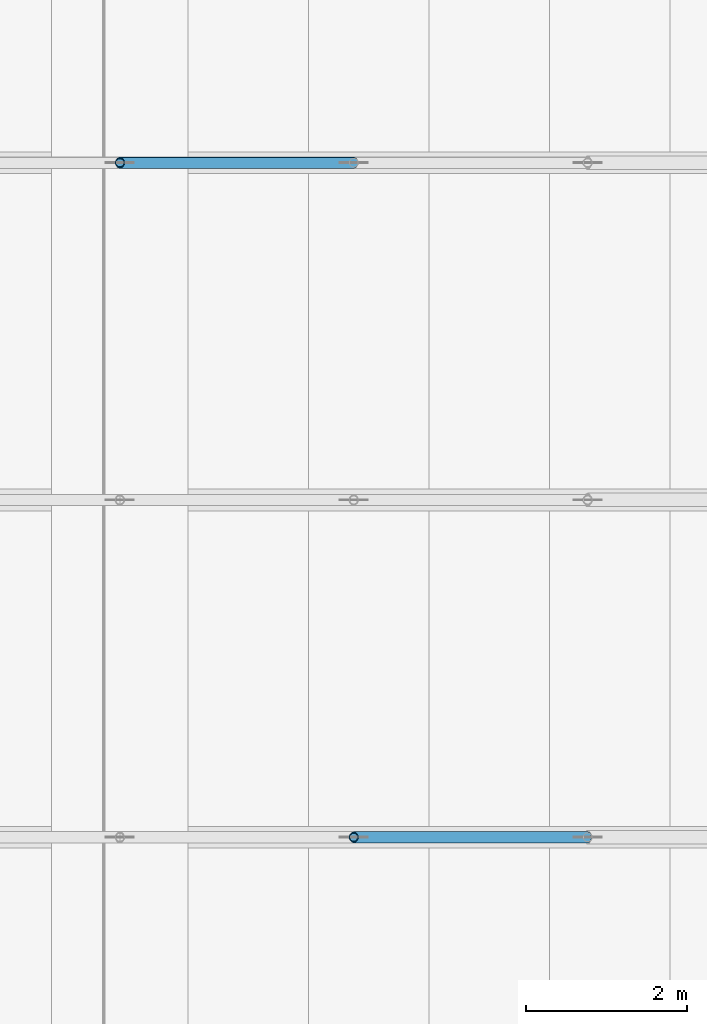
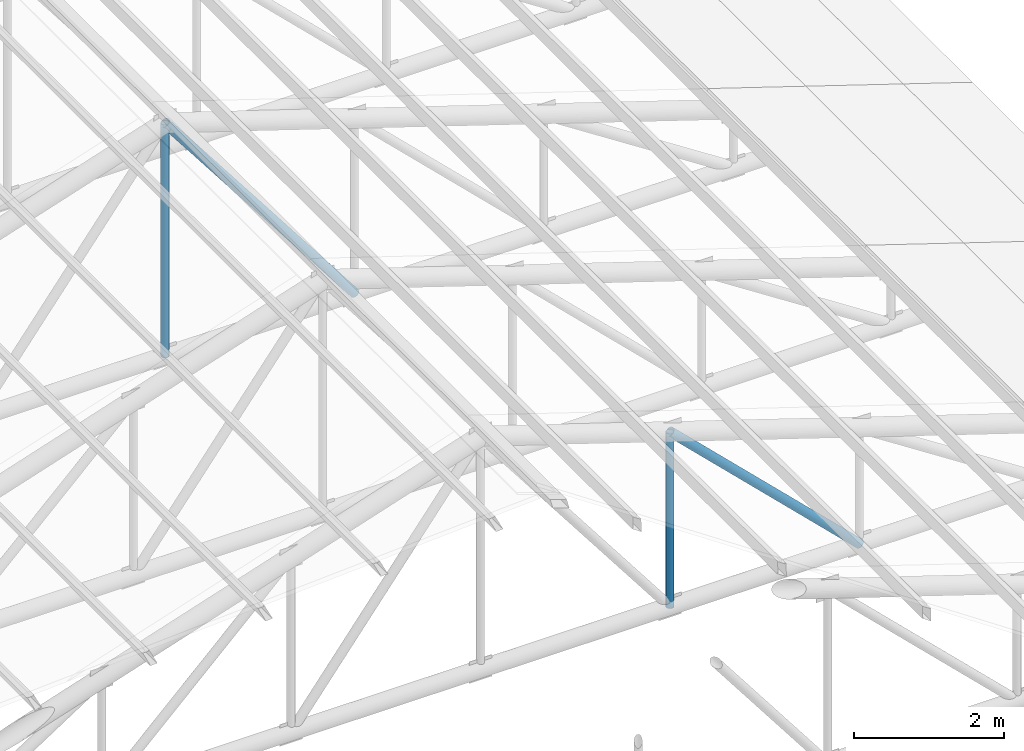
# One storey, part 46 of 95: 4 members.
"""IFC4 building model written with IfcOpenShell, lengths in metres."""

from ifc_helpers import new_model, si_unit, direction, frame, origin, origin_2d, place, context, subcontext, project, spatial, hollow_circle, extrude, material, material_profile, profile_set, type_object, element, save


model = new_model("IFC4")

# Units and contexts
model_context = context("Model", 3, precision=1e-05, world=origin(), true_north=direction((0.0, 1.0)))
body_context = subcontext(model_context, "Body", "Model", "MODEL_VIEW")
ifc_project = project(units=[si_unit("LENGTHUNIT", "METRE"), si_unit("AREAUNIT", "SQUARE_METRE"), si_unit("VOLUMEUNIT", "CUBIC_METRE"), si_unit("PLANEANGLEUNIT", "RADIAN"), si_unit("MASSUNIT", "GRAM", prefix="KILO")], contexts=[model_context])

# Site, building, storey
site_placement = place(None, origin())
site = spatial("IfcSite", under=ifc_project, at=site_placement, CompositionType="ELEMENT")
building_placement = place(site_placement, origin())
building = spatial("IfcBuilding", under=site, at=building_placement, Name="Kiln Court Media Centre", CompositionType="ELEMENT")
storey_placement = place(building_placement, frame((0.0, 0.0, 24.60009765625)))
storey = spatial("IfcBuildingStorey", under=building, at=storey_placement, Name="L05", CompositionType="ELEMENT", Elevation=24.60009765625)

# Members
ifc_material_1 = material(Name="Steel ASTM A500 Gr C", Category="steel")
ifc_material_profile_1 = material_profile(ifc_material_1, hollow_circle(Radius=0.05712890625, WallThickness=0.0048828125, at=origin_2d()), Name="CHS 114.3x5.0")
ifc_profile_set_1 = profile_set([ifc_material_profile_1], Name="Steel ASTM A500 Gr C")
member_type_1 = type_object("IfcMemberType", Name="Steel ASTM A500 Gr C CHS 114.3x5.0 truss web", PredefinedType="BRACE", material=ifc_profile_set_1)
member_1_placement = place(storey_placement, frame((49.3125, 50.39990234375, -0.013916015625), z_axis=(0.0, 0.0, 1.0), x_axis=(1.0, 0.0, 0.0)))
element("IfcMember", 1, at=member_1_placement, inside=storey, type_object=member_type_1, Name="foyer truss FT-07 post 5 truss web", PredefinedType="BRACE", context=body_context, shape_type="SweptSolid", body=[
    extrude(hollow_circle(Radius=0.05712890625, WallThickness=0.0048828125, at=origin_2d()), origin(), (0.0, 0.0, 1.0), 2.839111328125),
])
member_2_placement = place(storey_placement, frame((46.39990234375, 58.800048828125, -0.013916015625), z_axis=(0.0, 0.0, 1.0), x_axis=(1.0, 0.0, 0.0)))
element("IfcMember", 2, at=member_2_placement, inside=storey, type_object=member_type_1, Name="foyer truss FT-09 post 4 truss web", PredefinedType="BRACE", context=body_context, shape_type="SweptSolid", body=[
    extrude(hollow_circle(Radius=0.05712890625, WallThickness=0.0048828125, at=origin_2d()), origin(), (0.0, 0.0, 1.0), 3.785400390625),
])
ifc_material_2 = material(Name="Steel ASTM A500 Gr C", Category="steel")
ifc_material_profile_2 = material_profile(ifc_material_2, hollow_circle(Radius=0.06982421875, WallThickness=0.0048828125, at=origin_2d()), Name="CHS 139.7x5.0")
ifc_profile_set_2 = profile_set([ifc_material_profile_2], Name="Steel ASTM A500 Gr C")
member_type_2 = type_object("IfcMemberType", Name="Steel ASTM A500 Gr C CHS 139.7x5.0 truss web", PredefinedType="BRACE", material=ifc_profile_set_2)
member_3_placement = place(storey_placement, frame((49.3125, 50.39990234375, 2.8251953125), z_axis=(0.716082640751, 0.0, -0.69801550958), x_axis=(0.0, 1.0, 0.0)))
element("IfcMember", 3, at=member_3_placement, inside=storey, type_object=member_type_2, Name="foyer truss FT-07 diagonal 6 truss web", PredefinedType="BRACE", context=body_context, shape_type="SweptSolid", body=[
    extrude(hollow_circle(Radius=0.06982421875, WallThickness=0.0048828125, at=origin_2d()), origin(), (0.0, 0.0, 1.0), 4.0673828125),
])
member_4_placement = place(storey_placement, frame((46.39990234375, 58.800048828125, 3.771484375), z_axis=(0.609809567012, 0.0, -0.792547974561), x_axis=(0.0, 1.0, 0.0)))
element("IfcMember", 4, at=member_4_placement, inside=storey, type_object=member_type_2, Name="foyer truss FT-09 diagonal 5 truss web", PredefinedType="BRACE", context=body_context, shape_type="SweptSolid", body=[
    extrude(hollow_circle(Radius=0.06982421875, WallThickness=0.0048828125, at=origin_2d()), origin(), (0.0, 0.0, 1.0), 4.776123046875),
])

save(model, "model.ifc")
